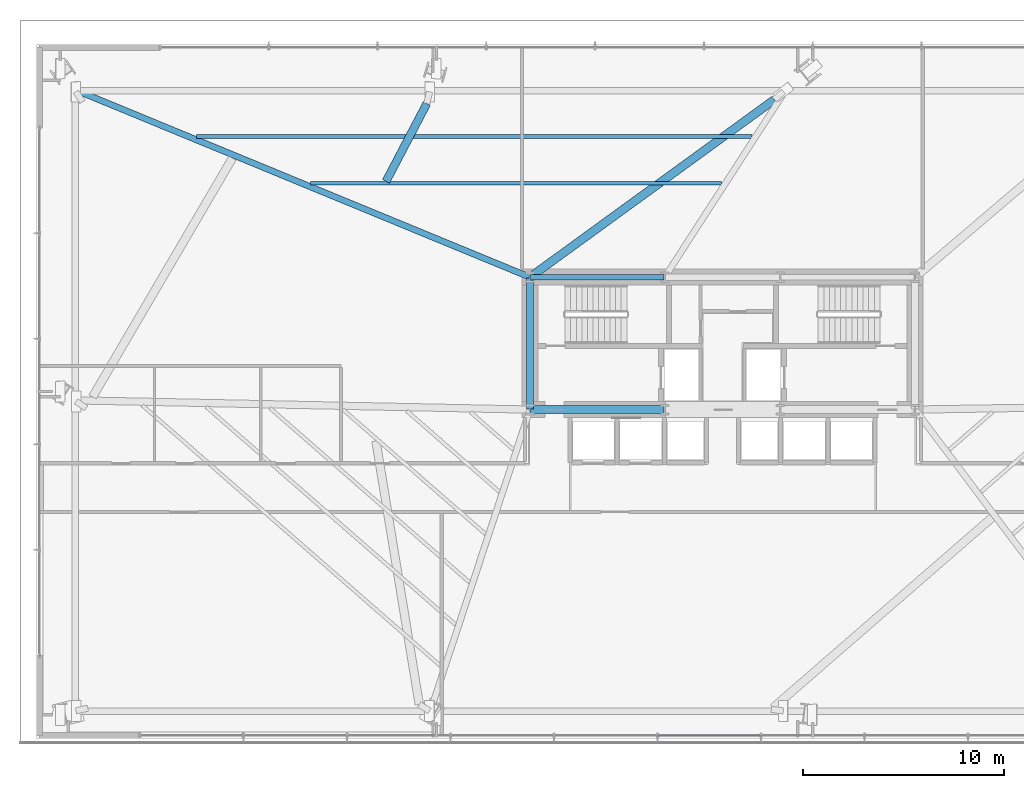
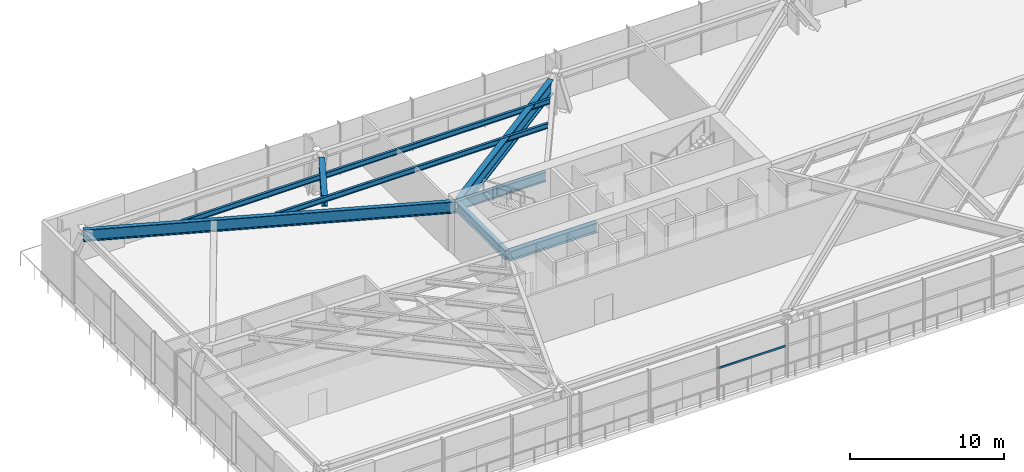
# One storey, part 11 of 36: 8 beams, 1 member, 1 element without a shape of its own.
"""IFC4 building model written with IfcOpenShell, lengths in metres."""

from ifc_helpers import new_model, si_unit, direction, frame, origin, origin_2d, place, context, subcontext, project, spatial, hollow_rectangle, i_section, extrude, source, transform, mapped, material, material_profile, profile_set, type_object, type_shapes, element, aggregate, save


model = new_model("IFC4")

# Units and contexts
model_context = context("Model", 3, precision=1e-05, world=origin(), true_north=direction((0.0, 1.0)))
body_context = subcontext(model_context, "Body", "Model", "MODEL_VIEW")
ifc_project = project(units=[si_unit("LENGTHUNIT", "METRE"), si_unit("AREAUNIT", "SQUARE_METRE"), si_unit("VOLUMEUNIT", "CUBIC_METRE"), si_unit("PLANEANGLEUNIT", "RADIAN"), si_unit("MASSUNIT", "GRAM", prefix="KILO")], contexts=[model_context])

# Site, building, storey
site_placement = place(None, origin())
site = spatial("IfcSite", under=ifc_project, at=site_placement, CompositionType="ELEMENT")
building_placement = place(site_placement, origin())
building = spatial("IfcBuilding", under=site, at=building_placement, Name="Astriad Promenade Condominiums", CompositionType="ELEMENT")
storey_placement = place(building_placement, frame((0.0, 0.0, 5.0)))
storey = spatial("IfcBuildingStorey", under=building, at=storey_placement, Name="L01", CompositionType="ELEMENT", Elevation=5.0)

# Beams
ifc_material_1 = material(Name="Steel ASTM A992 Grade 50", Category="steel")
ifc_material_profile_1 = material_profile(ifc_material_1, i_section(OverallWidth=0.3837890625, OverallDepth=0.785888671875, WebThickness=0.019775390625, FlangeThickness=0.033447265625, FilletRadius=0.021484375, at=origin_2d()), Name="W30X211")
ifc_profile_set_1 = profile_set([ifc_material_profile_1], Name="Steel ASTM A992 Grade 50")
beam_type_1 = type_object("IfcBeamType", Name="STEEL FLOOR GIRDER W30X211", PredefinedType="BEAM", material=ifc_profile_set_1)
shared_shape_1 = source(origin(), body_context, "Body", "SweptSolid", [
    extrude(i_section(OverallWidth=0.3837890625, OverallDepth=0.785888671875, WebThickness=0.019775390625, FlangeThickness=0.033447265625, FilletRadius=0.021484375, at=origin_2d()), origin(), (0.0, 0.0, 1.0), 6.64013671875),
])
type_shapes(beam_type_1, [shared_shape_1])
beam_1_placement = place(storey_placement, frame((26.43994140625, 17.39990234375, 3.68701171875), z_axis=(1.0, 0.0, 0.0), x_axis=(0.0, 1.0, 0.0)))
element("IfcBeam", 1, at=beam_1_placement, inside=storey, type_object=beam_type_1, Name="Core Ring Beam CG-S1-L01", PredefinedType="BEAM", context=body_context, shape_type="MappedRepresentation", body=[
    mapped(shared_shape_1, transform((0.0, 0.0, 0.0), scale=1.0)),
])
ifc_material_profile_2 = material_profile(ifc_material_1, i_section(OverallWidth=0.267822265625, OverallDepth=0.76953125, WebThickness=0.015625, FlangeThickness=0.025390625, FilletRadius=0.021484375, at=origin_2d()), Name="W30X132")
ifc_profile_set_2 = profile_set([ifc_material_profile_2], Name="Steel ASTM A992 Grade 50")
beam_type_2 = type_object("IfcBeamType", Name="STEEL FLOOR GIRDER W30X132", PredefinedType="BEAM", material=ifc_profile_set_2)
shared_shape_2 = source(origin(), body_context, "Body", "SweptSolid", [
    extrude(i_section(OverallWidth=0.267822265625, OverallDepth=0.76953125, WebThickness=0.015625, FlangeThickness=0.025390625, FilletRadius=0.021484375, at=origin_2d()), origin(), (0.0, 0.0, 1.0), 6.64013671875),
])
type_shapes(beam_type_2, [shared_shape_2])
beam_2_placement = place(storey_placement, frame((26.43994140625, 24.0, 3.6953125), z_axis=(1.0, 0.0, 0.0), x_axis=(0.0, 1.0, 0.0)))
element("IfcBeam", 2, at=beam_2_placement, inside=storey, type_object=beam_type_2, Name="Core Ring Beam CG-N1-L01", PredefinedType="BEAM", context=body_context, shape_type="MappedRepresentation", body=[
    mapped(shared_shape_2, transform((0.0, 0.0, 0.0), scale=1.0)),
])
ifc_material_profile_3 = material_profile(ifc_material_1, i_section(OverallWidth=0.35791015625, OverallDepth=0.706298828125, WebThickness=0.018310546875, FlangeThickness=0.0302734375, FilletRadius=0.020263671875, at=origin_2d()), Name="W27X178")
ifc_profile_set_3 = profile_set([ifc_material_profile_3], Name="Steel ASTM A992 Grade 50")
beam_type_3 = type_object("IfcBeamType", Name="STEEL FLOOR GIRDER W27X178", PredefinedType="BEAM", material=ifc_profile_set_3)
shared_shape_3 = source(origin(), body_context, "Body", "SweptSolid", [
    extrude(i_section(OverallWidth=0.35791015625, OverallDepth=0.706298828125, WebThickness=0.018310546875, FlangeThickness=0.0302734375, FilletRadius=0.020263671875, at=origin_2d()), origin(), (0.0, 0.0, 1.0), 6.52001953125),
])
type_shapes(beam_type_3, [shared_shape_3])
beam_3_placement = place(storey_placement, frame((26.39990234375, 17.43994140625, 3.726806640625), z_axis=(0.0, 1.0, 0.0), x_axis=(-1.0, 0.0, 0.0)))
element("IfcBeam", 3, at=beam_3_placement, inside=storey, type_object=beam_type_3, Name="Core Ring Beam CG-W1-L01", PredefinedType="BEAM", context=body_context, shape_type="MappedRepresentation", body=[
    mapped(shared_shape_3, transform((0.0, 0.0, 0.0), scale=1.0)),
])
ifc_material_profile_4 = material_profile(ifc_material_1, i_section(OverallWidth=0.307861328125, OverallDepth=0.9267578125, WebThickness=0.019287109375, FlangeThickness=0.031982421875, FilletRadius=0.024169921875, at=origin_2d()), Name="W36X194")
ifc_profile_set_4 = profile_set([ifc_material_profile_4], Name="Steel ASTM A992 Grade 50")
beam_type_4 = type_object("IfcBeamType", Name="STEEL PRIMARY GIRDER W36X194", PredefinedType="BEAM", material=ifc_profile_set_4)
shared_shape_4 = source(origin(), body_context, "Body", "SweptSolid", [
    extrude(i_section(OverallWidth=0.307861328125, OverallDepth=0.9267578125, WebThickness=0.019287109375, FlangeThickness=0.031982421875, FilletRadius=0.024169921875, at=origin_2d()), origin(), (0.0, 0.0, 1.0), 24.482421875),
])
type_shapes(beam_type_4, [shared_shape_4])
beam_4_placement = place(storey_placement, frame((3.726318359375, 33.341064453125, 3.61669921875), z_axis=(0.924607245607, -0.38092183105, 0.0), x_axis=(0.38092183105, 0.924607245607, 0.0)))
element("IfcBeam", 4, at=beam_4_placement, inside=storey, type_object=beam_type_4, Name="Primary Floor Girder PG-NW-L01", PredefinedType="BEAM", context=body_context, shape_type="MappedRepresentation", body=[
    mapped(shared_shape_4, transform((0.0, 0.0, 0.0), scale=1.0)),
])
ifc_material_profile_5 = material_profile(ifc_material_1, i_section(OverallWidth=0.180908203125, OverallDepth=0.417236328125, WebThickness=0.010986328125, FlangeThickness=0.018310546875, FilletRadius=0.013916015625, at=origin_2d()), Name="W16X57")
ifc_profile_set_5 = profile_set([ifc_material_profile_5], Name="Steel ASTM A992 Grade 50")
beam_type_5 = type_object("IfcBeamType", Name="STEEL FLOOR JOIST W16X57", PredefinedType="JOIST", material=ifc_profile_set_5)
shared_shape_5 = source(origin(), body_context, "Body", "SweptSolid", [
    extrude(i_section(OverallWidth=0.180908203125, OverallDepth=0.417236328125, WebThickness=0.010986328125, FlangeThickness=0.018310546875, FilletRadius=0.013916015625, at=origin_2d()), origin(), (0.0, 0.0, 1.0), 27.68359375),
])
beam_5_placement = place(storey_placement, frame((9.781005859375, 31.01708984375, 3.871337890625), z_axis=(1.0, 0.0, 0.0), x_axis=(0.0, 1.0, 0.0)))
element("IfcBeam", 5, at=beam_5_placement, inside=storey, type_object=beam_type_5, Name="Secondary Composite Floor Joist JNW-1-L01", PredefinedType="JOIST", context=body_context, shape_type="MappedRepresentation", body=[
    mapped(shared_shape_5, transform((0.0, 0.0, 0.0), scale=1.0)),
])
shared_shape_6 = source(origin(), body_context, "Body", "SweptSolid", [
    extrude(i_section(OverallWidth=0.180908203125, OverallDepth=0.417236328125, WebThickness=0.010986328125, FlangeThickness=0.018310546875, FilletRadius=0.013916015625, at=origin_2d()), origin(), (0.0, 0.0, 1.0), 20.493408203125),
])
type_shapes(beam_type_5, [shared_shape_5, shared_shape_6])
beam_6_placement = place(storey_placement, frame((15.45849609375, 28.677978515625, 3.871337890625), z_axis=(1.0, 0.0, 0.0), x_axis=(0.0, 1.0, 0.0)))
element("IfcBeam", 6, at=beam_6_placement, inside=storey, type_object=beam_type_5, Name="Secondary Composite Floor Joist JNW-2-L01", PredefinedType="JOIST", context=body_context, shape_type="MappedRepresentation", body=[
    mapped(shared_shape_6, transform((0.0, 0.0, 0.0), scale=1.0)),
])
ifc_material_profile_6 = material_profile(ifc_material_1, i_section(OverallWidth=0.4013671875, OverallDepth=0.877197265625, WebThickness=0.022216796875, FlangeThickness=0.039794921875, FilletRadius=0.02294921875, at=origin_2d()), Name="W33X263")
ifc_profile_set_6 = profile_set([ifc_material_profile_6], Name="Steel ASTM A992 Grade 50")
beam_type_6 = type_object("IfcBeamType", Name="STEEL TRANSFER CARRIER GIRDER W33X263", PredefinedType="BEAM", material=ifc_profile_set_6)
shared_shape_7 = source(origin(), body_context, "Body", "SweptSolid", [
    extrude(i_section(OverallWidth=0.4013671875, OverallDepth=0.877197265625, WebThickness=0.022216796875, FlangeThickness=0.039794921875, FilletRadius=0.02294921875, at=origin_2d()), origin(), (0.0, 0.0, 1.0), 4.3798828125),
])
type_shapes(beam_type_6, [shared_shape_7])
beam_7_placement = place(storey_placement, frame((19.224853515625, 28.777587890625, 3.6416015625), z_axis=(0.464056983719, 0.885805348743, 0.0), x_axis=(-0.885805348743, 0.464056983719, 0.0)))
element("IfcBeam", 7, at=beam_7_placement, inside=storey, type_object=beam_type_6, Name="Transfer Splice Carrier TRM-SP-PC07-L01", PredefinedType="BEAM", context=body_context, shape_type="MappedRepresentation", body=[
    mapped(shared_shape_7, transform((0.0, 0.0, 0.0), scale=1.0)),
])
ifc_material_profile_7 = material_profile(ifc_material_1, i_section(OverallWidth=0.4169921875, OverallDepth=1.093505859375, WebThickness=0.0390625, FlangeThickness=0.070068359375, FilletRadius=0.025390625, at=origin_2d()), Name="W40X503")
ifc_profile_set_7 = profile_set([ifc_material_profile_7], Name="Steel ASTM A992 Grade 50")
beam_type_7 = type_object("IfcBeamType", Name="STEEL TRANSFER GIRDER W40X503", PredefinedType="BEAM", material=ifc_profile_set_7)
shared_shape_8 = source(origin(), body_context, "Body", "SweptSolid", [
    extrude(i_section(OverallWidth=0.4169921875, OverallDepth=1.093505859375, WebThickness=0.0390625, FlangeThickness=0.070068359375, FilletRadius=0.025390625, at=origin_2d()), origin(), (0.0, 0.0, 1.0), 14.825927734375),
])
type_shapes(beam_type_7, [shared_shape_8])
beam_8_placement = place(storey_placement, frame((26.59228515625, 24.139892578125, 3.533203125), z_axis=(0.809067792467, 0.587715328363, 0.0), x_axis=(-0.587715328363, 0.809067792467, 0.0)))
element("IfcBeam", 8, at=beam_8_placement, inside=storey, type_object=beam_type_7, Name="Transfer Splice Carrier TRM-SP-PC08-L01", PredefinedType="BEAM", context=body_context, shape_type="MappedRepresentation", body=[
    mapped(shared_shape_8, transform((0.0, 0.0, 0.0), scale=1.0)),
])

# Curtain wall, member
ifc_material_2 = material(Name="Anodised aluminium Black Dark Glass Unitised", Category="aluminium")
curtain_wall_type = type_object("IfcCurtainWallType", Name="CW-POD-DARK", PredefinedType="USERDEFINED", material=ifc_material_2)
curtain_wall_placement = place(storey_placement, origin())
curtain_wall = element("IfcCurtainWall", 9, at=curtain_wall_placement, inside=storey, type_object=curtain_wall_type, Name="CW-L01-S", ObjectType="UNITISED_CURTAIN_WALL", PredefinedType="USERDEFINED")
ifc_material_3 = material(Name="Anodised aluminium 6063-T6 Black", Category="aluminium")
ifc_material_profile_8 = material_profile(ifc_material_3, hollow_rectangle(XDim=0.074951171875, YDim=0.14990234375, WallThickness=0.004150390625, at=origin_2d()), Name="ALU-TRN-75X150")
ifc_profile_set_8 = profile_set([ifc_material_profile_8], Name="Anodised aluminium 6063-T6 Black")
member_type = type_object("IfcMemberType", Name="TRN-ALU-TRN-75X150", PredefinedType="USERDEFINED", material=ifc_profile_set_8)
shared_shape_9 = source(origin(), body_context, "Body", "SweptSolid", [
    extrude(hollow_rectangle(XDim=0.074951171875, YDim=0.14990234375, WallThickness=0.004150390625, at=origin_2d()), origin(), (0.0, 0.0, 1.0), 5.161376953125),
])
type_shapes(member_type, [shared_shape_9])
member_placement = place(storey_placement, frame((37.919189453125, 1.14990234375, 2.35009765625), z_axis=(-1.0, 0.0, 0.0), x_axis=(0.0, -1.0, 0.0)))
member = element("IfcMember", 10, at=member_placement, type_object=member_type, Name="CW-L01-S-TRN-07-0", ObjectType="TRANSOM", PredefinedType="USERDEFINED", context=body_context, shape_type="MappedRepresentation", body=[
    mapped(shared_shape_9, transform((0.0, 0.0, 0.0), scale=1.0)),
])
aggregate(curtain_wall, [member])

save(model, "model.ifc")
